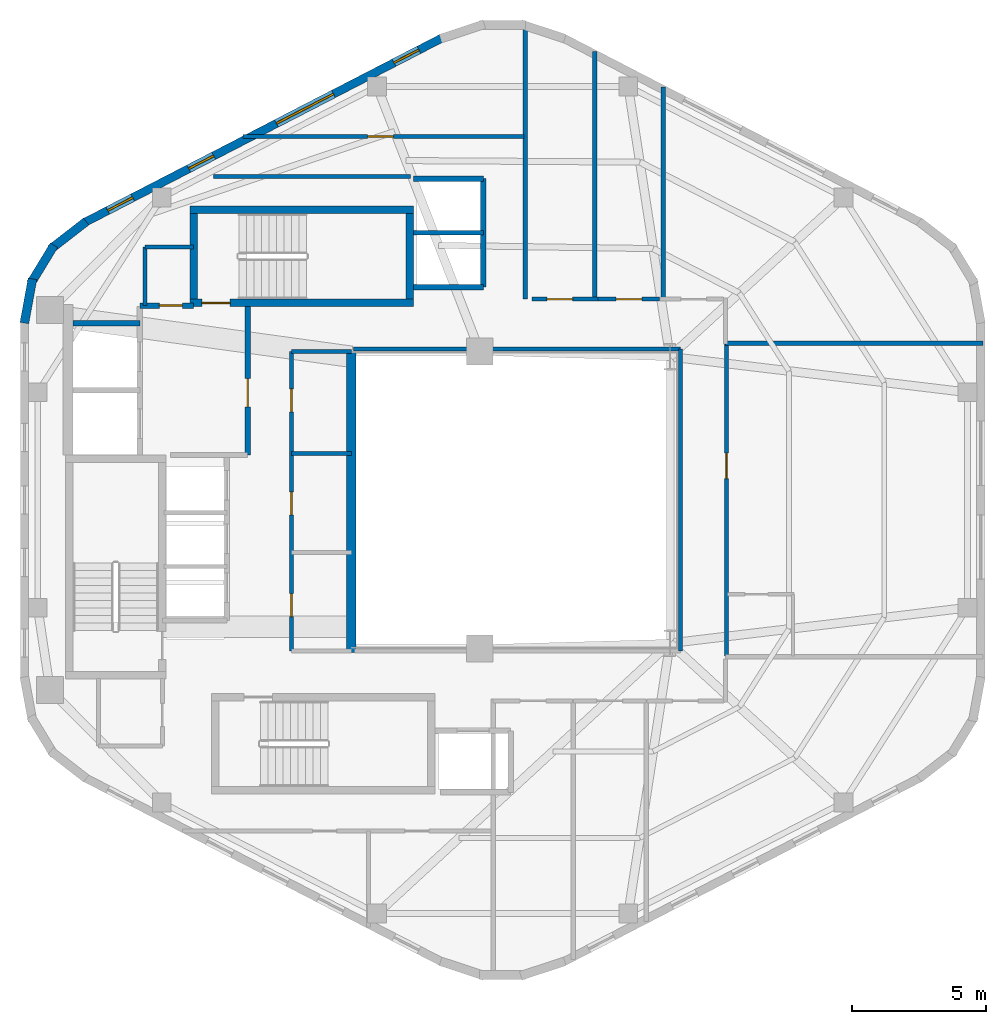
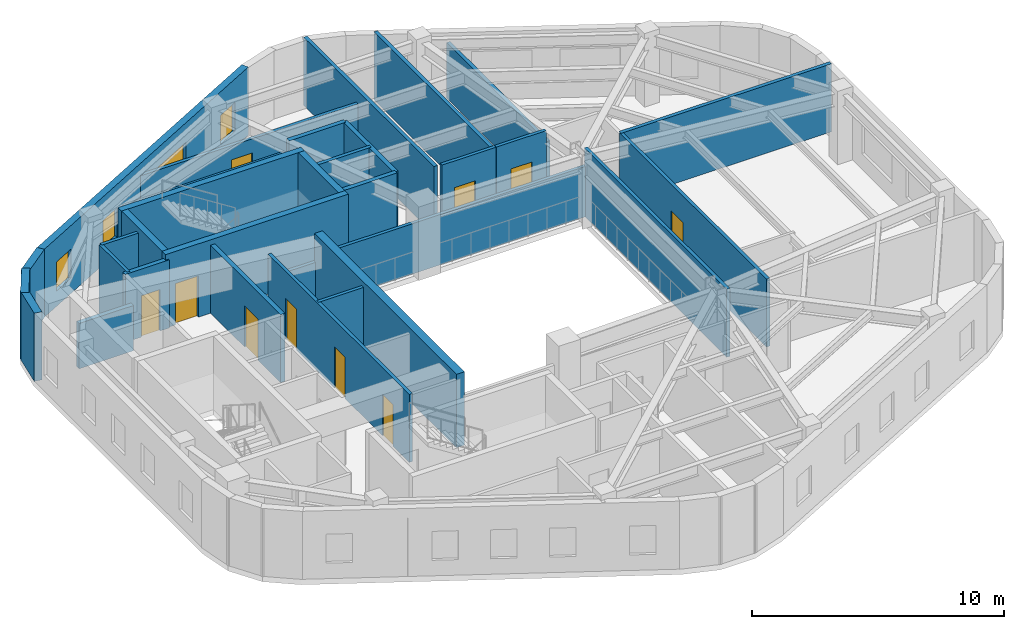
# One storey, part 4 of 6: 32 walls, 10 doors, 4 windows, 14 openings.
"""IFC4 building model written with IfcOpenShell, lengths in metres."""

from ifc_helpers import new_model, si_unit, direction, frame, frame_2d, origin, place, context, subcontext, project, spatial, rectangle, extrude, material, layer, layer_set, type_object, element, fill, save


model = new_model("IFC4")

# Units and contexts
model_context = context("Model", 3, precision=1e-05, world=origin(), true_north=direction((0.0, 1.0)))
body_context = subcontext(model_context, "Body", "Model", "MODEL_VIEW")
ifc_project = project(units=[si_unit("LENGTHUNIT", "METRE"), si_unit("AREAUNIT", "SQUARE_METRE"), si_unit("VOLUMEUNIT", "CUBIC_METRE"), si_unit("PLANEANGLEUNIT", "RADIAN"), si_unit("MASSUNIT", "GRAM", prefix="KILO"), si_unit("THERMODYNAMICTEMPERATUREUNIT", "KELVIN"), si_unit("POWERUNIT", "WATT")], contexts=[model_context])

# Site, building, storey
site_placement = place(None, origin())
site = spatial("IfcSite", under=ifc_project, at=site_placement, CompositionType="ELEMENT")
building_placement = place(site_placement, origin())
building = spatial("IfcBuilding", under=site, at=building_placement, Name="Skarre Station Tower", CompositionType="ELEMENT")
storey_placement = place(building_placement, frame((0.0, 0.0, 259.64990234375)))
storey = spatial("IfcBuildingStorey", under=building, at=storey_placement, Name="L71", CompositionType="ELEMENT", Elevation=259.64990234375)

# Wall
ifc_material_1 = material(Name="Acoustic Steel-Stud Gypsum Partition", Category="steel")
ifc_layer_1 = layer(ifc_material_1, 0.14990234375, Name="Acoustic Steel-Stud Gypsum Partition")
ifc_layer_set_1 = layer_set([ifc_layer_1], Name="Acoustic Steel-Stud Gypsum Partition")
wall_type_1 = type_object("IfcWallType", Name="Fire-Rated Corridor Acoustic Partition 150", PredefinedType="PARTITIONING", material=ifc_layer_set_1)
wall_1_placement = place(storey_placement, frame((25.320068359375, 25.739990234375, 0.0), z_axis=(0.0, 0.0, 1.0), x_axis=(1.0, 0.0, 0.0)))
element("IfcWall", 1, at=wall_1_placement, inside=storey, type_object=wall_type_1, Name="L71 Interior Partition WL-PT-L71-RC2-M2", PredefinedType="PARTITIONING", context=body_context, shape_type="SweptSolid", body=[
    extrude(rectangle(XDim=2.22998046875, YDim=0.14990234375, at=frame_2d((1.114990234375, 0.0))), origin(), (0.0, 0.0, 1.0), 3.2900390625),
])

# Wall, openings, doors
wall_2_placement = place(storey_placement, frame((25.320068359375, 29.550048828125, 0.0), z_axis=(0.0, 0.0, 1.0), x_axis=(0.0, -1.0, 0.0)))
wall_2 = element("IfcWall", 2, at=wall_2_placement, inside=storey, type_object=wall_type_1, Name="L71 Interior Partition WL-PT-L71-RC2-W", PredefinedType="PARTITIONING", context=body_context, shape_type="SweptSolid", body=[
    extrude(rectangle(XDim=11.18994140625, YDim=0.14990234375, at=frame_2d((5.594970703125, 0.0))), origin(), (0.0, 0.0, 1.0), 3.2900390625),
])
opening_1_placement = place(wall_2_placement, frame((1.39990234375, 0.0, 0.0)))
opening_1 = element("IfcOpeningElement", 3, at=opening_1_placement, cuts=wall_2, Name="Opening DR-SVC86", PredefinedType="OPENING", context=body_context, shape_type="SweptSolid", body=[
    extrude(rectangle(XDim=0.860107421875, YDim=2.0, at=frame_2d((0.43017578125, 1.0))), frame((0.0, 0.0849609375, 0.0), z_axis=(0.0, -1.0, 0.0), x_axis=(1.0, 0.0, 0.0)), (0.0, 0.0, 1.0), 0.169921875),
])
opening_2_placement = place(wall_2_placement, frame((5.25, 0.0, 0.0)))
opening_2 = element("IfcOpeningElement", 4, at=opening_2_placement, cuts=wall_2, Name="Opening DR-SVC86", PredefinedType="OPENING", context=body_context, shape_type="SweptSolid", body=[
    extrude(rectangle(XDim=0.860107421875, YDim=2.0, at=frame_2d((0.43017578125, 1.0))), frame((0.0, 0.0849609375, 0.0), z_axis=(0.0, -1.0, 0.0), x_axis=(1.0, 0.0, 0.0)), (0.0, 0.0, 1.0), 0.169921875),
])
opening_3_placement = place(wall_2_placement, frame((9.050048828125, 0.0, 0.0)))
opening_3 = element("IfcOpeningElement", 5, at=opening_3_placement, cuts=wall_2, Name="Opening DR-SVC86", PredefinedType="OPENING", context=body_context, shape_type="SweptSolid", body=[
    extrude(rectangle(XDim=0.860107421875, YDim=2.0, at=frame_2d((0.43017578125, 1.0))), frame((0.0, 0.0849609375, 0.0), z_axis=(0.0, -1.0, 0.0), x_axis=(1.0, 0.0, 0.0)), (0.0, 0.0, 1.0), 0.169921875),
])
ifc_material_2 = material(Name="Powder-Coated Hollow-Metal Acoustic Fire Leaf", Category="steel")
door_type_1 = type_object("IfcDoorType", Name="Compact Riser Fire Door FD60 860x2100", OperationType="SINGLE_SWING_LEFT", PredefinedType="DOOR", material=ifc_material_2)
door_1_placement = place(opening_1_placement, origin())
door_1 = element("IfcDoor", 6, at=door_1_placement, inside=storey, type_object=door_type_1, Name="L71 Housekeeping Storage Door", OperationType="SINGLE_SWING_LEFT", OverallHeight=2.0, OverallWidth=0.860107421875, PredefinedType="DOOR", context=body_context, shape_type="SweptSolid", body=[
    extrude(rectangle(XDim=0.860107421875, YDim=2.0, at=frame_2d((0.43017578125, 1.0))), frame((0.0, 0.02490234375, 0.0), z_axis=(0.0, -1.0, 0.0), x_axis=(1.0, 0.0, 0.0)), (0.0, 0.0, 1.0), 0.050048828125),
])
fill(opening_1, door_1)
door_2_placement = place(opening_2_placement, origin())
door_2 = element("IfcDoor", 7, at=door_2_placement, inside=storey, type_object=door_type_1, Name="L71 Core IT Room Door", OperationType="SINGLE_SWING_LEFT", OverallHeight=2.0, OverallWidth=0.860107421875, PredefinedType="DOOR", context=body_context, shape_type="SweptSolid", body=[
    extrude(rectangle(XDim=0.860107421875, YDim=2.0, at=frame_2d((0.43017578125, 1.0))), frame((0.0, 0.02490234375, 0.0), z_axis=(0.0, -1.0, 0.0), x_axis=(1.0, 0.0, 0.0)), (0.0, 0.0, 1.0), 0.050048828125),
])
fill(opening_2, door_2)
door_3_placement = place(opening_3_placement, origin())
door_3 = element("IfcDoor", 8, at=door_3_placement, inside=storey, type_object=door_type_1, Name="L71 Beverage Pantry Door", OperationType="SINGLE_SWING_LEFT", OverallHeight=2.0, OverallWidth=0.860107421875, PredefinedType="DOOR", context=body_context, shape_type="SweptSolid", body=[
    extrude(rectangle(XDim=0.860107421875, YDim=2.0, at=frame_2d((0.43017578125, 1.0))), frame((0.0, 0.02490234375, 0.0), z_axis=(0.0, -1.0, 0.0), x_axis=(1.0, 0.0, 0.0)), (0.0, 0.0, 1.0), 0.050048828125),
])
fill(opening_3, door_3)

# Walls
wall_3_placement = place(storey_placement, frame((27.550048828125, 29.550048828125, 0.0), z_axis=(0.0, 0.0, 1.0), x_axis=(-1.0, 0.0, 0.0)))
element("IfcWall", 9, at=wall_3_placement, inside=storey, type_object=wall_type_1, Name="L71 Interior Partition WL-PT-L71-RC2-N", PredefinedType="PARTITIONING", context=body_context, shape_type="SweptSolid", body=[
    extrude(rectangle(XDim=2.22998046875, YDim=0.14990234375, at=frame_2d((1.114990234375, 0.0))), origin(), (0.0, 0.0, 1.0), 2.190185546875),
])
wall_4_placement = place(storey_placement, frame((19.85009765625, 33.449951171875, 0.0), z_axis=(0.0, 0.0, 1.0), x_axis=(0.0, -1.0, 0.0)))
element("IfcWall", 10, at=wall_4_placement, inside=storey, type_object=wall_type_1, Name="L71 Interior Partition WL-PT-L71-CNW-W", PredefinedType="PARTITIONING", context=body_context, shape_type="SweptSolid", body=[
    extrude(rectangle(XDim=2.18994140625, YDim=0.14990234375, at=frame_2d((1.094970703125, 0.0))), origin(), (0.0, 0.0, 1.0), 3.2900390625),
])
wall_5_placement = place(storey_placement, frame((21.659912109375, 33.449951171875, 0.0), z_axis=(0.0, 0.0, 1.0), x_axis=(-1.0, 0.0, 0.0)))
element("IfcWall", 11, at=wall_5_placement, inside=storey, type_object=wall_type_1, Name="L71 Interior Partition WL-PT-L71-CNW-N1", PredefinedType="PARTITIONING", context=body_context, shape_type="SweptSolid", body=[
    extrude(rectangle(XDim=1.809814453125, YDim=0.14990234375, at=frame_2d((0.90478515625, 0.0))), origin(), (0.0, 0.0, 1.0), 3.2900390625),
])
wall_6_placement = place(storey_placement, frame((39.840087890625, 29.639892578125, 0.0), z_axis=(0.0, 0.0, 1.0), x_axis=(-1.0, 0.0, 0.0)))
element("IfcWall", 12, at=wall_6_placement, inside=storey, type_object=wall_type_1, Name="L71 Interior Partition WL-PT-L71-ATRW-N", PredefinedType="PARTITIONING", context=body_context, shape_type="SweptSolid", body=[
    extrude(rectangle(XDim=12.203125, YDim=0.14990234375, at=frame_2d((6.1015625, 0.0))), origin(), (0.0, 0.0, 1.0), 2.43115234375),
])
wall_7_placement = place(storey_placement, frame((39.840087890625, 18.360107421875, 0.0), z_axis=(0.0, 0.0, 1.0), x_axis=(0.0, 1.0, 0.0)))
element("IfcWall", 13, at=wall_7_placement, inside=storey, type_object=wall_type_1, Name="L71 Interior Partition WL-PT-L71-ATRW-E", PredefinedType="PARTITIONING", context=body_context, shape_type="SweptSolid", body=[
    extrude(rectangle(XDim=11.27978515625, YDim=0.14990234375, at=frame_2d((5.639892578125, 0.0))), origin(), (0.0, 0.0, 1.0), 3.2900390625),
])

# Wall, opening, door
wall_8_placement = place(storey_placement, frame((34.0, 37.580078125, 0.0), z_axis=(0.0, 0.0, 1.0), x_axis=(-1.0, 0.0, 0.0)))
wall_8 = element("IfcWall", 14, at=wall_8_placement, inside=storey, type_object=wall_type_1, Name="L71 Interior Partition WL-PT-L71-NWW1-CW", PredefinedType="PARTITIONING", context=body_context, shape_type="SweptSolid", body=[
    extrude(rectangle(XDim=10.5009765625, YDim=0.14990234375, at=frame_2d((5.25048828125, 0.0))), origin(), (0.0, 0.0, 1.0), 2.68212890625),
])
opening_4_placement = place(wall_8_placement, frame((4.87890625, 0.0, 0.0)))
opening_4 = element("IfcOpeningElement", 15, at=opening_4_placement, cuts=wall_8, Name="Opening DR-FD60", PredefinedType="OPENING", context=body_context, shape_type="SweptSolid", body=[
    extrude(rectangle(XDim=0.9599609375, YDim=2.0, at=frame_2d((0.47998046875, 1.0))), frame((0.0, 0.0849609375, 0.0), z_axis=(0.0, -1.0, 0.0), x_axis=(1.0, 0.0, 0.0)), (0.0, 0.0, 1.0), 0.169921875),
])
ifc_material_3 = material(Name="Nordic White-Oak Veneer Solid-Core Fire Leaf", Category="wood")
door_type_2 = type_object("IfcDoorType", Name="Corridor Suite Entry Fire Door FD60 960x2150", OperationType="SINGLE_SWING_LEFT", PredefinedType="DOOR", material=ifc_material_3)
door_4_placement = place(opening_4_placement, origin())
door_4 = element("IfcDoor", 16, at=door_4_placement, inside=storey, type_object=door_type_2, Name="L71 NWW1 Entry Door", OperationType="SINGLE_SWING_LEFT", OverallHeight=2.0, OverallWidth=0.9599609375, PredefinedType="DOOR", context=body_context, shape_type="SweptSolid", body=[
    extrude(rectangle(XDim=0.9599609375, YDim=2.0, at=frame_2d((0.47998046875, 1.0))), frame((0.0, 0.02490234375, 0.0), z_axis=(0.0, -1.0, 0.0), x_axis=(1.0, 0.0, 0.0)), (0.0, 0.0, 1.0), 0.050048828125),
])
fill(opening_4, door_4)

wall_9_placement = place(storey_placement, frame((36.758056640625, 31.5, 0.0), z_axis=(0.0, 0.0, 1.0), x_axis=(-1.0, 0.0, 0.0)))
wall_9 = element("IfcWall", 17, at=wall_9_placement, inside=storey, type_object=wall_type_1, Name="L71 Interior Partition WL-PT-L71-NW1-CW", PredefinedType="PARTITIONING", context=body_context, shape_type="SweptSolid", body=[
    extrude(rectangle(XDim=2.468017578125, YDim=0.14990234375, at=frame_2d((1.23388671875, 0.0))), origin(), (0.0, 0.0, 1.0), 3.2900390625),
])
opening_5_placement = place(wall_9_placement, frame((0.947021484375, 0.0, 0.0)))
opening_5 = element("IfcOpeningElement", 18, at=opening_5_placement, cuts=wall_9, Name="Opening DR-FD60", PredefinedType="OPENING", context=body_context, shape_type="SweptSolid", body=[
    extrude(rectangle(XDim=0.9599609375, YDim=2.0, at=frame_2d((0.47998046875, 1.0))), frame((0.0, 0.0849609375, 0.0), z_axis=(0.0, -1.0, 0.0), x_axis=(1.0, 0.0, 0.0)), (0.0, 0.0, 1.0), 0.169921875),
])
door_5_placement = place(opening_5_placement, origin())
door_5 = element("IfcDoor", 19, at=door_5_placement, inside=storey, type_object=door_type_2, Name="L71 NW1 Entry Door", OperationType="SINGLE_SWING_LEFT", OverallHeight=2.0, OverallWidth=0.9599609375, PredefinedType="DOOR", context=body_context, shape_type="SweptSolid", body=[
    extrude(rectangle(XDim=0.9599609375, YDim=2.0, at=frame_2d((0.47998046875, 1.0))), frame((0.0, 0.02490234375, 0.0), z_axis=(0.0, -1.0, 0.0), x_axis=(1.0, 0.0, 0.0)), (0.0, 0.0, 1.0), 0.050048828125),
])
fill(opening_5, door_5)

wall_10_placement = place(storey_placement, frame((39.06591796875, 31.5, 0.0), z_axis=(0.0, 0.0, 1.0), x_axis=(-1.0, 0.0, 0.0)))
wall_10 = element("IfcWall", 20, at=wall_10_placement, inside=storey, type_object=wall_type_1, Name="L71 Interior Partition WL-PT-L71-NW2-CW", PredefinedType="PARTITIONING", context=body_context, shape_type="SweptSolid", body=[
    extrude(rectangle(XDim=2.2978515625, YDim=0.14990234375, at=frame_2d((1.14892578125, 0.0))), origin(), (0.0, 0.0, 1.0), 3.2900390625),
])
opening_6_placement = place(wall_10_placement, frame((0.6689453125, 0.0, 0.0)))
opening_6 = element("IfcOpeningElement", 21, at=opening_6_placement, cuts=wall_10, Name="Opening DR-FD60", PredefinedType="OPENING", context=body_context, shape_type="SweptSolid", body=[
    extrude(rectangle(XDim=0.9599609375, YDim=2.0, at=frame_2d((0.47998046875, 1.0))), frame((0.0, 0.0849609375, 0.0), z_axis=(0.0, -1.0, 0.0), x_axis=(1.0, 0.0, 0.0)), (0.0, 0.0, 1.0), 0.169921875),
])
door_6_placement = place(opening_6_placement, origin())
door_6 = element("IfcDoor", 22, at=door_6_placement, inside=storey, type_object=door_type_2, Name="L71 NW2 Entry Door", OperationType="SINGLE_SWING_LEFT", OverallHeight=2.0, OverallWidth=0.9599609375, PredefinedType="DOOR", context=body_context, shape_type="SweptSolid", body=[
    extrude(rectangle(XDim=0.9599609375, YDim=2.0, at=frame_2d((0.47998046875, 1.0))), frame((0.0, 0.02490234375, 0.0), z_axis=(0.0, -1.0, 0.0), x_axis=(1.0, 0.0, 0.0)), (0.0, 0.0, 1.0), 0.050048828125),
])
fill(opening_6, door_6)

wall_11_placement = place(storey_placement, frame((41.56005859375, 18.179931640625, 0.0), z_axis=(0.0, 0.0, 1.0), x_axis=(0.0, 1.0, 0.0)))
wall_11 = element("IfcWall", 23, at=wall_11_placement, inside=storey, type_object=wall_type_1, Name="L71 Interior Partition WL-PT-L71-EW1-CW", PredefinedType="PARTITIONING", context=body_context, shape_type="SweptSolid", body=[
    extrude(rectangle(XDim=11.64013671875, YDim=0.14990234375, at=frame_2d((5.820068359375, 0.0))), origin(), (0.0, 0.0, 1.0), 3.2900390625),
])
opening_7_placement = place(wall_11_placement, frame((6.614990234375, 0.0, 0.0)))
opening_7 = element("IfcOpeningElement", 24, at=opening_7_placement, cuts=wall_11, Name="Opening DR-FD60", PredefinedType="OPENING", context=body_context, shape_type="SweptSolid", body=[
    extrude(rectangle(XDim=0.9599609375, YDim=2.0, at=frame_2d((0.47998046875, 1.0))), frame((0.0, 0.0849609375, 0.0), z_axis=(0.0, -1.0, 0.0), x_axis=(1.0, 0.0, 0.0)), (0.0, 0.0, 1.0), 0.169921875),
])
door_7_placement = place(opening_7_placement, origin())
door_7 = element("IfcDoor", 25, at=door_7_placement, inside=storey, type_object=door_type_2, Name="L71 EW1 Entry Door", OperationType="SINGLE_SWING_LEFT", OverallHeight=2.0, OverallWidth=0.9599609375, PredefinedType="DOOR", context=body_context, shape_type="SweptSolid", body=[
    extrude(rectangle(XDim=0.9599609375, YDim=2.0, at=frame_2d((0.47998046875, 1.0))), frame((0.0, 0.02490234375, 0.0), z_axis=(0.0, -1.0, 0.0), x_axis=(1.0, 0.0, 0.0)), (0.0, 0.0, 1.0), 0.050048828125),
])
fill(opening_7, door_7)

# Walls
wall_12_placement = place(storey_placement, frame((29.7529296875, 36.080078125, 0.0), z_axis=(0.0, 0.0, 1.0), x_axis=(-1.0, 0.0, 0.0)))
element("IfcWall", 26, at=wall_12_placement, inside=storey, type_object=wall_type_1, Name="L71 Interior Partition WL-PT-L71-CSEAL-1", PredefinedType="PARTITIONING", context=body_context, shape_type="SweptSolid", body=[
    extrude(rectangle(XDim=7.35302734375, YDim=0.14990234375, at=frame_2d((3.676513671875, 0.0))), origin(), (0.0, 0.0, 1.0), 2.68212890625),
])
ifc_material_4 = material(Name="Precast concrete C45/55", Category="concrete")
ifc_layer_2 = layer(ifc_material_4, 0.330078125, Name="Precast concrete C45/55")
ifc_layer_set_2 = layer_set([ifc_layer_2], Name="Precast concrete C45/55")
wall_type_2 = type_object("IfcWallType", Name="Nordic Rounded Corner Precast Wall 330", PredefinedType="STANDARD", material=ifc_layer_set_2)
wall_13_placement = place(storey_placement, frame((15.337890625, 30.60791015625, 0.0), z_axis=(0.0, 0.0, 1.0), x_axis=(0.180832605401, 0.983513888475, 0.0)))
element("IfcWall", 27, at=wall_13_placement, inside=storey, type_object=wall_type_2, Name="L71 Rounded Corner Precast Wall F2-1", PredefinedType="STANDARD", context=body_context, shape_type="SweptSolid", body=[
    extrude(rectangle(XDim=1.6767578125, YDim=0.330078125, at=frame_2d((0.83837890625, 0.0))), origin(), (0.0, 0.0, 1.0), 3.2900390625),
])
wall_14_placement = place(storey_placement, frame((15.573974609375, 32.08203125, 0.0), z_axis=(0.0, 0.0, 1.0), x_axis=(0.520325409202, 0.853968072318, 0.0)))
element("IfcWall", 28, at=wall_14_placement, inside=storey, type_object=wall_type_2, Name="L71 Rounded Corner Precast Wall F2-2", PredefinedType="STANDARD", context=body_context, shape_type="SweptSolid", body=[
    extrude(rectangle(XDim=1.677978515625, YDim=0.330078125, at=frame_2d((0.8388671875, 0.0))), origin(), (0.0, 0.0, 1.0), 3.2900390625),
])
wall_15_placement = place(storey_placement, frame((16.322021484375, 33.375, 0.0), z_axis=(0.0, 0.0, 1.0), x_axis=(0.790691856293, 0.61221433207, 0.0)))
element("IfcWall", 29, at=wall_15_placement, inside=storey, type_object=wall_type_2, Name="L71 Rounded Corner Precast Wall F2-3", PredefinedType="STANDARD", context=body_context, shape_type="SweptSolid", body=[
    extrude(rectangle(XDim=1.67578125, YDim=0.330078125, at=frame_2d((0.837890625, 0.0))), origin(), (0.0, 0.0, 1.0), 3.2900390625),
])

# Wall, openings, windows
ifc_layer_3 = layer(ifc_material_4, 0.31005859375, Name="Precast concrete C45/55")
ifc_layer_set_3 = layer_set([ifc_layer_3], Name="Precast concrete C45/55")
wall_type_3 = type_object("IfcWallType", Name="Nordic Upper-Zone Precast Facet Wall 310", PredefinedType="STANDARD", material=ifc_layer_set_3)
wall_16_placement = place(storey_placement, frame((17.56591796875, 34.35400390625, 0.0), z_axis=(0.0, 0.0, 1.0), x_axis=(0.888581481622, 0.458718814218, 0.0)))
wall_16 = element("IfcWall", 30, at=wall_16_placement, inside=storey, type_object=wall_type_3, Name="L71 Facet 1 Nordic Precast Masonry Wall", PredefinedType="STANDARD", context=body_context, shape_type="SweptSolid", body=[
    extrude(rectangle(XDim=15.076904296875, YDim=0.31005859375, at=frame_2d((7.53857421875, 0.0))), origin(), (0.0, 0.0, 1.0), 3.2900390625),
])
opening_8_placement = place(wall_16_placement, frame((0.998046875, 0.0, 0.75)))
opening_8 = element("IfcOpeningElement", 31, at=opening_8_placement, cuts=wall_16, Name="Opening WN-SLT", PredefinedType="OPENING", context=body_context, shape_type="SweptSolid", body=[
    extrude(rectangle(XDim=1.050048828125, YDim=1.39990234375, at=frame_2d((0.52490234375, 0.699951171875))), frame((0.0, 0.1650390625, 0.0), z_axis=(0.0, -1.0, 0.0), x_axis=(1.0, 0.0, 0.0)), (0.0, 0.0, 1.0), 0.330078125),
])
opening_9_placement = place(wall_16_placement, frame((4.403076171875, 0.0, 0.75)))
opening_9 = element("IfcOpeningElement", 32, at=opening_9_placement, cuts=wall_16, Name="Opening WN-SLT", PredefinedType="OPENING", context=body_context, shape_type="SweptSolid", body=[
    extrude(rectangle(XDim=1.050048828125, YDim=1.39990234375, at=frame_2d((0.52490234375, 0.699951171875))), frame((0.0, 0.1650390625, 0.0), z_axis=(0.0, -1.0, 0.0), x_axis=(1.0, 0.0, 0.0)), (0.0, 0.0, 1.0), 0.330078125),
])
opening_10_placement = place(wall_16_placement, frame((8.0859375, 0.0, 0.75)))
opening_10 = element("IfcOpeningElement", 33, at=opening_10_placement, cuts=wall_16, Name="Opening WN-Z4A", PredefinedType="OPENING", context=body_context, shape_type="SweptSolid", body=[
    extrude(rectangle(XDim=2.39990234375, YDim=1.60009765625, at=frame_2d((1.199951171875, 0.800048828125))), frame((0.0, 0.1650390625, 0.0), z_axis=(0.0, -1.0, 0.0), x_axis=(1.0, 0.0, 0.0)), (0.0, 0.0, 1.0), 0.330078125),
])
opening_11_placement = place(wall_16_placement, frame((13.029052734375, 0.0, 0.75)))
opening_11 = element("IfcOpeningElement", 34, at=opening_11_placement, cuts=wall_16, Name="Opening WN-SLT", PredefinedType="OPENING", context=body_context, shape_type="SweptSolid", body=[
    extrude(rectangle(XDim=1.050048828125, YDim=1.39990234375, at=frame_2d((0.52490234375, 0.699951171875))), frame((0.0, 0.1650390625, 0.0), z_axis=(0.0, -1.0, 0.0), x_axis=(1.0, 0.0, 0.0)), (0.0, 0.0, 1.0), 0.330078125),
])
ifc_material_5 = material(Name="Low-Iron Triple Glazing with Bronze Anodized Frame", Category="glass")
window_type_1 = type_object("IfcWindowType", Name="Nordic Corner Slot Window 1050x1400", PartitioningType="SINGLE_PANEL", PredefinedType="WINDOW", material=ifc_material_5)
window_1_placement = place(opening_8_placement, origin())
window_1 = element("IfcWindow", 35, at=window_1_placement, inside=storey, type_object=window_type_1, Name="L71 Facade Window WL-FAC-L71-F1-1", OverallHeight=1.39990234375, OverallWidth=1.050048828125, PartitioningType="SINGLE_PANEL", PredefinedType="WINDOW", context=body_context, shape_type="SweptSolid", body=[
    extrude(rectangle(XDim=1.050048828125, YDim=1.39990234375, at=frame_2d((0.52490234375, 0.699951171875))), frame((0.0, 0.030029296875, 0.0), z_axis=(0.0, -1.0, 0.0), x_axis=(1.0, 0.0, 0.0)), (0.0, 0.0, 1.0), 0.06005859375),
])
fill(opening_8, window_1)
window_2_placement = place(opening_9_placement, origin())
window_2 = element("IfcWindow", 36, at=window_2_placement, inside=storey, type_object=window_type_1, Name="L71 Facade Window WL-FAC-L71-F1-2", OverallHeight=1.39990234375, OverallWidth=1.050048828125, PartitioningType="SINGLE_PANEL", PredefinedType="WINDOW", context=body_context, shape_type="SweptSolid", body=[
    extrude(rectangle(XDim=1.050048828125, YDim=1.39990234375, at=frame_2d((0.52490234375, 0.699951171875))), frame((0.0, 0.030029296875, 0.0), z_axis=(0.0, -1.0, 0.0), x_axis=(1.0, 0.0, 0.0)), (0.0, 0.0, 1.0), 0.06005859375),
])
fill(opening_9, window_2)
window_3_placement = place(opening_11_placement, origin())
window_3 = element("IfcWindow", 37, at=window_3_placement, inside=storey, type_object=window_type_1, Name="L71 Facade Window WL-FAC-L71-F1-4", OverallHeight=1.39990234375, OverallWidth=1.050048828125, PartitioningType="SINGLE_PANEL", PredefinedType="WINDOW", context=body_context, shape_type="SweptSolid", body=[
    extrude(rectangle(XDim=1.050048828125, YDim=1.39990234375, at=frame_2d((0.52490234375, 0.699951171875))), frame((0.0, 0.030029296875, 0.0), z_axis=(0.0, -1.0, 0.0), x_axis=(1.0, 0.0, 0.0)), (0.0, 0.0, 1.0), 0.06005859375),
])
fill(opening_11, window_3)
window_type_2 = type_object("IfcWindowType", Name="Nordic Crown Panorama Window 2400x1600", PartitioningType="SINGLE_PANEL", PredefinedType="WINDOW", material=ifc_material_5)
window_4_placement = place(opening_10_placement, origin())
window_4 = element("IfcWindow", 38, at=window_4_placement, inside=storey, type_object=window_type_2, Name="L71 Facade Window WL-FAC-L71-F1-3", OverallHeight=1.60009765625, OverallWidth=2.39990234375, PartitioningType="SINGLE_PANEL", PredefinedType="WINDOW", context=body_context, shape_type="SweptSolid", body=[
    extrude(rectangle(XDim=2.39990234375, YDim=1.60009765625, at=frame_2d((1.199951171875, 0.800048828125))), frame((0.0, 0.030029296875, 0.0), z_axis=(0.0, -1.0, 0.0), x_axis=(1.0, 0.0, 0.0)), (0.0, 0.0, 1.0), 0.06005859375),
])
fill(opening_10, window_4)

# Wall, opening, door
ifc_material_6 = material(Name="Concrete C50/60", Category="concrete")
ifc_layer_4 = layer(ifc_material_6, 0.280029296875, Name="Concrete C50/60")
ifc_layer_set_4 = layer_set([ifc_layer_4], Name="Concrete C50/60")
wall_type_4 = type_object("IfcWallType", Name="RC Core Shear Wall 280", PredefinedType="SHEAR", material=ifc_layer_set_4)
wall_17_placement = place(storey_placement, frame((21.52001953125, 31.360107421875, 0.0), z_axis=(0.0, 0.0, 1.0), x_axis=(1.0, 0.0, 0.0)))
wall_17 = element("IfcWall", 39, at=wall_17_placement, inside=storey, type_object=wall_type_4, Name="L71 Stair ST-3 South Shear Wall", PredefinedType="SHEAR", context=body_context, shape_type="SweptSolid", body=[
    extrude(rectangle(XDim=8.35986328125, YDim=0.280029296875, at=frame_2d((4.179931640625, 0.0))), origin(), (0.0, 0.0, 1.0), 3.550048828125),
])
opening_12_placement = place(wall_17_placement, frame((0.449951171875, 0.0, 0.0)))
opening_12 = element("IfcOpeningElement", 40, at=opening_12_placement, cuts=wall_17, Name="Opening DR-FD90", PredefinedType="OPENING", context=body_context, shape_type="SweptSolid", body=[
    extrude(rectangle(XDim=1.050048828125, YDim=2.0, at=frame_2d((0.52490234375, 1.0))), frame((0.0, 0.14990234375, 0.0), z_axis=(0.0, -1.0, 0.0), x_axis=(1.0, 0.0, 0.0)), (0.0, 0.0, 1.0), 0.300048828125),
])
ifc_material_7 = material(Name="Fire-Rated Insulated Steel Frame & Timber Core Leaf", Category="steel")
door_type_3 = type_object("IfcDoorType", Name="Stair & FSAE Lobby Fire Door FD90 1050x2150", OperationType="SINGLE_SWING_RIGHT", PredefinedType="DOOR", material=ifc_material_7)
door_8_placement = place(opening_12_placement, origin())
door_8 = element("IfcDoor", 41, at=door_8_placement, inside=storey, type_object=door_type_3, Name="L71 Stair ST-3 & FSAE Lobby Direct Exit Door", OperationType="SINGLE_SWING_LEFT", OverallHeight=2.0, OverallWidth=1.050048828125, PredefinedType="DOOR", context=body_context, shape_type="SweptSolid", body=[
    extrude(rectangle(XDim=1.050048828125, YDim=2.0, at=frame_2d((0.52490234375, 1.0))), frame((0.0, 0.02490234375, 0.0), z_axis=(0.0, -1.0, 0.0), x_axis=(1.0, 0.0, 0.0)), (0.0, 0.0, 1.0), 0.050048828125),
])
fill(opening_12, door_8)

# Walls
wall_18_placement = place(storey_placement, frame((29.8798828125, 34.840087890625, 0.0), z_axis=(0.0, 0.0, 1.0), x_axis=(-1.0, 0.0, 0.0)))
element("IfcWall", 42, at=wall_18_placement, inside=storey, type_object=wall_type_4, Name="L71 Stair ST-3 North Shear Wall", PredefinedType="SHEAR", context=body_context, shape_type="SweptSolid", body=[
    extrude(rectangle(XDim=8.35986328125, YDim=0.280029296875, at=frame_2d((4.179931640625, 0.0))), origin(), (0.0, 0.0, 1.0), 3.550048828125),
])
for number, where, z_axis, x_axis, name in (
    (43, (21.659912109375, 34.699951171875, 0.0), (0.0, 0.0, 1.0), (0.0, -1.0, 0.0), "L71 Stair ST-3 West Shear Wall"),
    (44, (29.739990234375, 31.5, 0.0), (0.0, 0.0, 1.0), (0.0, 1.0, 0.0), "L71 Stair ST-3 East Shear Wall"),
):
    element("IfcWall", number, at=place(storey_placement, frame(where, z_axis=z_axis, x_axis=x_axis)), inside=storey, type_object=wall_type_4, Name=name, PredefinedType="SHEAR", context=body_context, shape_type="SweptSolid", body=[
        extrude(rectangle(XDim=3.199951171875, YDim=0.280029296875, at=frame_2d((1.60009765625, 0.0))), origin(), (0.0, 0.0, 1.0), 3.550048828125),
    ])
ifc_layer_5 = layer(ifc_material_6, 0.360107421875, Name="Concrete C50/60")
ifc_layer_set_5 = layer_set([ifc_layer_5], Name="Concrete C50/60")
wall_type_5 = type_object("IfcWallType", Name="RC Core Shear Wall 360", PredefinedType="SHEAR", material=ifc_layer_set_5)
wall_19_placement = place(storey_placement, frame((27.550048828125, 29.550048828125, 0.0), z_axis=(0.0, 0.0, 1.0), x_axis=(0.0, -1.0, 0.0)))
element("IfcWall", 45, at=wall_19_placement, inside=storey, type_object=wall_type_5, Name="L71 Core East Atrium Shear Wall", PredefinedType="SHEAR", context=body_context, shape_type="SweptSolid", body=[
    extrude(rectangle(XDim=11.25, YDim=0.360107421875, at=frame_2d((5.625, 0.0))), origin(), (0.0, 0.0, 1.0), 3.550048828125),
])

# Wall, opening, door
ifc_material_8 = material(Name="Gypsum Concrete Shaft Assembly C30/37", Category="concrete")
ifc_layer_6 = layer(ifc_material_8, 0.199951171875, Name="Gypsum Concrete Shaft Assembly C30/37")
ifc_layer_set_6 = layer_set([ifc_layer_6], Name="Gypsum Concrete Shaft Assembly C30/37")
wall_type_6 = type_object("IfcWallType", Name="Shaft & Core Fire Partition 200", PredefinedType="PARTITIONING", material=ifc_layer_set_6)
wall_20_placement = place(storey_placement, frame((23.679931640625, 25.679931640625, 0.0), z_axis=(0.0, 0.0, 1.0), x_axis=(0.0, 1.0, 0.0)))
wall_20 = element("IfcWall", 46, at=wall_20_placement, inside=storey, type_object=wall_type_6, Name="L71 Interior Partition WL-PT-L71-FSAE-E", PredefinedType="PARTITIONING", context=body_context, shape_type="SweptSolid", body=[
    extrude(rectangle(XDim=5.5400390625, YDim=0.199951171875, at=frame_2d((2.77001953125, 0.0))), origin(), (0.0, 0.0, 1.0), 3.2900390625),
])
opening_13_placement = place(wall_20_placement, frame((1.800048828125, 0.0, 0.0)))
opening_13 = element("IfcOpeningElement", 47, at=opening_13_placement, cuts=wall_20, Name="Opening DR-FD90", PredefinedType="OPENING", context=body_context, shape_type="SweptSolid", body=[
    extrude(rectangle(XDim=1.050048828125, YDim=2.0, at=frame_2d((0.52490234375, 1.0))), frame((0.0, 0.10986328125, 0.0), z_axis=(0.0, -1.0, 0.0), x_axis=(1.0, 0.0, 0.0)), (0.0, 0.0, 1.0), 0.219970703125),
])
door_9_placement = place(opening_13_placement, origin())
door_9 = element("IfcDoor", 48, at=door_9_placement, inside=storey, type_object=door_type_3, Name="L71 FSAE Lobby Fire Door", OperationType="SINGLE_SWING_RIGHT", OverallHeight=2.0, OverallWidth=1.050048828125, PredefinedType="DOOR", context=body_context, shape_type="SweptSolid", body=[
    extrude(rectangle(XDim=1.050048828125, YDim=2.0, at=frame_2d((0.52490234375, 1.0))), frame((0.0, 0.02490234375, 0.0), z_axis=(0.0, -1.0, 0.0), x_axis=(1.0, 0.0, 0.0)), (0.0, 0.0, 1.0), 0.050048828125),
])
fill(opening_13, door_9)

wall_21_placement = place(storey_placement, frame((21.659912109375, 31.260009765625, 0.0), z_axis=(0.0, 0.0, 1.0), x_axis=(-1.0, 0.0, 0.0)))
wall_21 = element("IfcWall", 49, at=wall_21_placement, inside=storey, type_object=wall_type_6, Name="L71 Interior Partition WL-PT-L71-FSAE-N", PredefinedType="PARTITIONING", context=body_context, shape_type="SweptSolid", body=[
    extrude(rectangle(XDim=2.010009765625, YDim=0.199951171875, at=frame_2d((1.0048828125, 0.0))), origin(), (0.0, 0.0, 1.0), 3.2900390625),
])
opening_14_placement = place(wall_21_placement, frame((0.419921875, 0.0, 0.0)))
opening_14 = element("IfcOpeningElement", 50, at=opening_14_placement, cuts=wall_21, Name="Opening DR-SVC86", PredefinedType="OPENING", context=body_context, shape_type="SweptSolid", body=[
    extrude(rectangle(XDim=0.860107421875, YDim=2.0, at=frame_2d((0.43017578125, 1.0))), frame((0.0, 0.10986328125, 0.0), z_axis=(0.0, -1.0, 0.0), x_axis=(1.0, 0.0, 0.0)), (0.0, 0.0, 1.0), 0.219970703125),
])
door_10_placement = place(opening_14_placement, origin())
door_10 = element("IfcDoor", 51, at=door_10_placement, inside=storey, type_object=door_type_1, Name="L71 Core Service Room Lobby Door", OperationType="SINGLE_SWING_LEFT", OverallHeight=2.0, OverallWidth=0.860107421875, PredefinedType="DOOR", context=body_context, shape_type="SweptSolid", body=[
    extrude(rectangle(XDim=0.860107421875, YDim=2.0, at=frame_2d((0.43017578125, 1.0))), frame((0.0, 0.02490234375, 0.0), z_axis=(0.0, -1.0, 0.0), x_axis=(1.0, 0.0, 0.0)), (0.0, 0.0, 1.0), 0.050048828125),
])
fill(opening_14, door_10)

# Walls
wall_22_placement = place(storey_placement, frame((19.64990234375, 30.60009765625, 0.0), z_axis=(0.0, 0.0, 1.0), x_axis=(-1.0, 0.0, 0.0)))
element("IfcWall", 52, at=wall_22_placement, inside=storey, type_object=wall_type_6, Name="L71 Interior Partition WL-PT-L71-FF-N", PredefinedType="PARTITIONING", context=body_context, shape_type="SweptSolid", body=[
    extrude(rectangle(XDim=2.5, YDim=0.199951171875, at=frame_2d((1.25, 0.0))), origin(), (0.0, 0.0, 1.0), 2.190185546875),
])
wall_23_placement = place(storey_placement, frame((32.47998046875, 31.949951171875, 0.0), z_axis=(0.0, 0.0, 1.0), x_axis=(0.0, 1.0, 0.0)))
element("IfcWall", 53, at=wall_23_placement, inside=storey, type_object=wall_type_6, Name="L71 Interior Partition WL-PT-L71-EX-E", PredefinedType="PARTITIONING", context=body_context, shape_type="SweptSolid", body=[
    extrude(rectangle(XDim=4.050048828125, YDim=0.199951171875, at=frame_2d((2.02490234375, 0.0))), origin(), (0.0, 0.0, 1.0), 3.2900390625),
])
for number, where, z_axis, x_axis, name in (
    (54, (29.8798828125, 36.0, 0.0), (0.0, 0.0, 1.0), (1.0, 0.0, 0.0), "L71 Interior Partition WL-PT-L71-EX-N"),
    (55, (32.47998046875, 31.949951171875, 0.0), (0.0, 0.0, 1.0), (-1.0, 0.0, 0.0), "L71 Interior Partition WL-PT-L71-EX-S"),
):
    element("IfcWall", number, at=place(storey_placement, frame(where, z_axis=z_axis, x_axis=x_axis)), inside=storey, type_object=wall_type_6, Name=name, PredefinedType="PARTITIONING", context=body_context, shape_type="SweptSolid", body=[
        extrude(rectangle(XDim=2.60009765625, YDim=0.199951171875, at=frame_2d((1.300048828125, 0.0))), origin(), (0.0, 0.0, 1.0), 3.2900390625),
    ])
wall_24_placement = place(storey_placement, frame((29.875, 33.97998046875, 0.0), z_axis=(0.0, 0.0, 1.0), x_axis=(1.0, 0.0, 0.0)))
element("IfcWall", 56, at=wall_24_placement, inside=storey, type_object=wall_type_6, Name="L71 Interior Partition WL-PT-L71-EX-DIV", PredefinedType="PARTITIONING", context=body_context, shape_type="SweptSolid", body=[
    extrude(rectangle(XDim=2.60498046875, YDim=0.159912109375, at=frame_2d((1.302490234375, 0.0))), origin(), (0.0, 0.0, 1.0), 3.2900390625),
])
ifc_layer_7 = layer(ifc_material_1, 0.1650390625, Name="Acoustic Steel-Stud Gypsum Partition")
ifc_layer_set_7 = layer_set([ifc_layer_7], Name="Acoustic Steel-Stud Gypsum Partition")
wall_type_7 = type_object("IfcWallType", Name="Suite Demising Acoustic Partition 165", PredefinedType="PARTITIONING", material=ifc_layer_set_7)
wall_25_placement = place(storey_placement, frame((34.0400390625, 31.5, 0.0), z_axis=(0.0, 0.0, 1.0), x_axis=(0.0, 1.0, 0.0)))
element("IfcWall", 57, at=wall_25_placement, inside=storey, type_object=wall_type_7, Name="L71 Interior Partition WL-PT-L71-NW-WBND", PredefinedType="PARTITIONING", context=body_context, shape_type="SweptSolid", body=[
    extrude(rectangle(XDim=10.318115234375, YDim=0.1650390625, at=frame_2d((5.1591796875, 0.0))), origin(), (0.0, 0.0, 1.0), 3.2900390625),
])
wall_26_placement = place(storey_placement, frame((36.637939453125, 31.510009765625, 0.0), z_axis=(0.0, 0.0, 1.0), x_axis=(0.0, 1.0, 0.0)))
element("IfcWall", 58, at=wall_26_placement, inside=storey, type_object=wall_type_7, Name="L71 Interior Partition WL-PT-L71-NW-P1", PredefinedType="PARTITIONING", context=body_context, shape_type="SweptSolid", body=[
    extrude(rectangle(XDim=9.236083984375, YDim=0.1650390625, at=frame_2d((4.6181640625, 0.0))), origin(), (0.0, 0.0, 1.0), 3.2900390625),
])
wall_27_placement = place(storey_placement, frame((39.196044921875, 31.510009765625, 0.0), z_axis=(0.0, 0.0, 1.0), x_axis=(0.0, 1.0, 0.0)))
element("IfcWall", 59, at=wall_27_placement, inside=storey, type_object=wall_type_7, Name="L71 Interior Partition WL-PT-L71-NW-P2", PredefinedType="PARTITIONING", context=body_context, shape_type="SweptSolid", body=[
    extrude(rectangle(XDim=7.9150390625, YDim=0.1650390625, at=frame_2d((3.95751953125, 0.0))), origin(), (0.0, 0.0, 1.0), 2.67919921875),
])
wall_28_placement = place(storey_placement, frame((41.52001953125, 29.860107421875, 0.0), z_axis=(0.0, 0.0, 1.0), x_axis=(1.0, 0.0, 0.0)))
element("IfcWall", 60, at=wall_28_placement, inside=storey, type_object=wall_type_7, Name="L71 Interior Partition WL-PT-L71-EWB-N", PredefinedType="PARTITIONING", context=body_context, shape_type="SweptSolid", body=[
    extrude(rectangle(XDim=9.623046875, YDim=0.1650390625, at=frame_2d((4.8115234375, 0.0))), origin(), (0.0, 0.0, 1.0), 3.2900390625),
])

save(model, "model.ifc")
